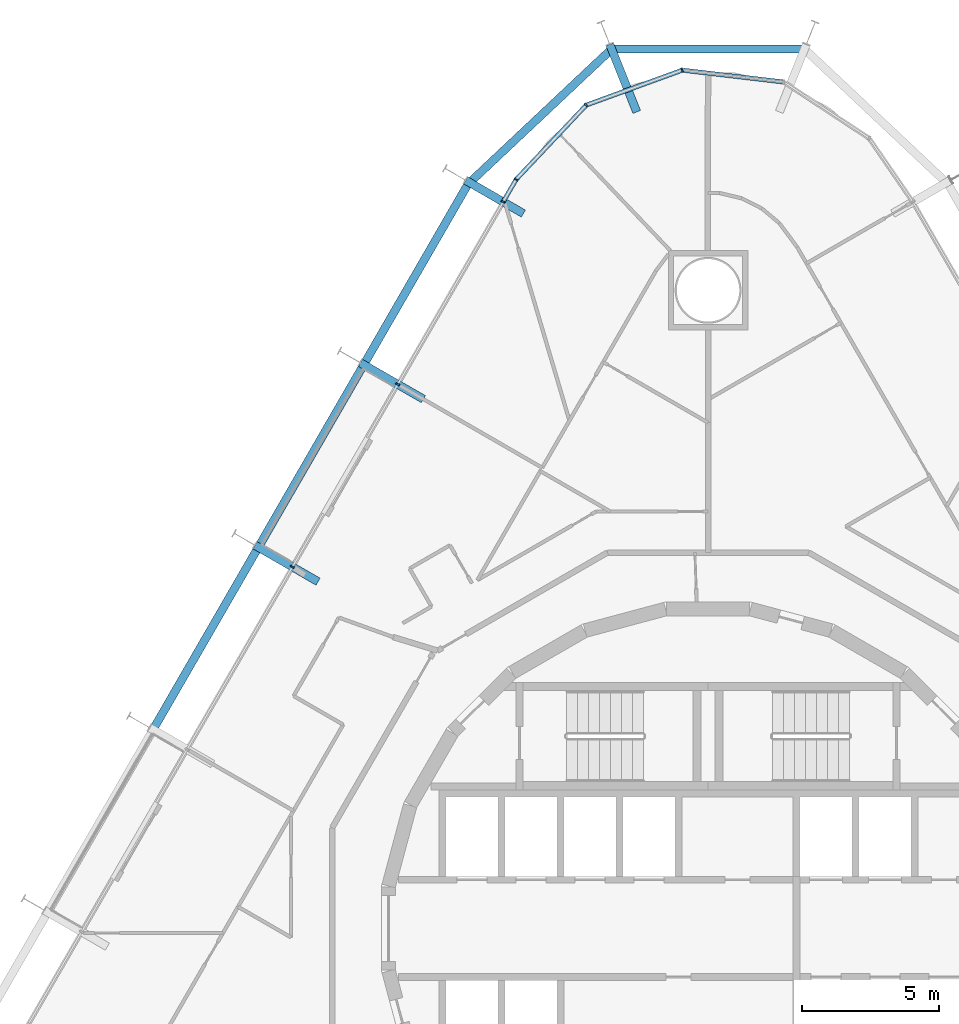
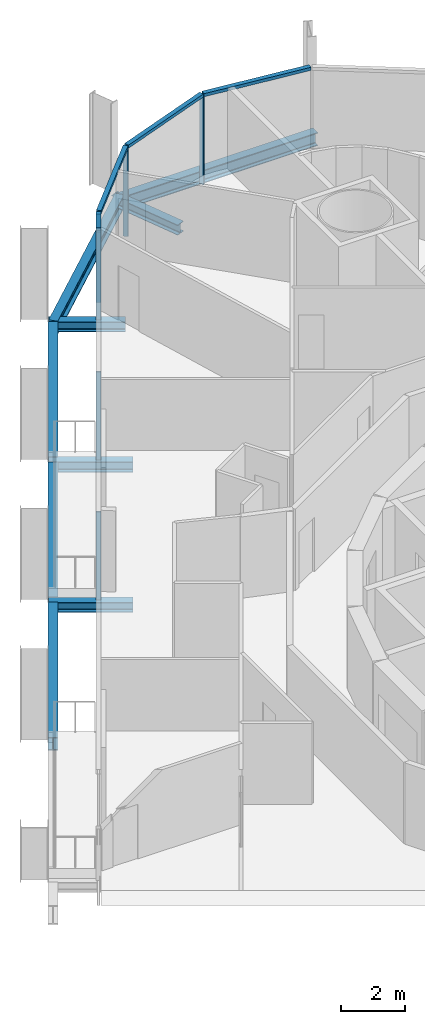
# One storey, part 9 of 20: 10 members, 9 beams, 2 elements without a shape of their own.
"""IFC4 building model written with IfcOpenShell, lengths in metres."""

from ifc_helpers import new_model, si_unit, direction, frame, origin, origin_2d, place, context, subcontext, project, spatial, rectangle, i_section, extrude, material, layer, layer_set, material_profile, profile_set, type_object, element, aggregate, save


model = new_model("IFC4")

# Units and contexts
model_context = context("Model", 3, precision=1e-05, world=origin(), true_north=direction((0.0, 1.0)))
body_context = subcontext(model_context, "Body", "Model", "MODEL_VIEW")
ifc_project = project(units=[si_unit("LENGTHUNIT", "METRE"), si_unit("AREAUNIT", "SQUARE_METRE"), si_unit("VOLUMEUNIT", "CUBIC_METRE"), si_unit("PLANEANGLEUNIT", "RADIAN"), si_unit("MASSUNIT", "GRAM", prefix="KILO")], contexts=[model_context])

# Site, building, storey
site_placement = place(None, origin())
site = spatial("IfcSite", under=ifc_project, at=site_placement, CompositionType="ELEMENT")
building_placement = place(site_placement, origin())
building = spatial("IfcBuilding", under=site, at=building_placement, Name="Spindle Arch Residences", CompositionType="ELEMENT")
storey_placement = place(building_placement, frame((0.0, 0.0, 59.39990234375)))
storey = spatial("IfcBuildingStorey", under=building, at=storey_placement, Name="L13", CompositionType="ELEMENT", Elevation=59.39990234375)

# Curtain wall, members
ifc_material_1 = material(Name="Aluminium bronze unitised frame with tinted glass", Category="aluminium")
ifc_layer_1 = layer(ifc_material_1, 0.159912109375)
ifc_layer_set_1 = layer_set([ifc_layer_1], Name="CW-D corner wall on the fillet arcs")
curtain_wall_type_1 = type_object("IfcCurtainWallType", Name="CW-D corner wall on the fillet arcs", PredefinedType="NOTDEFINED", material=ifc_layer_set_1)
curtain_wall_1_placement = place(storey_placement, origin())
curtain_wall_1 = element("IfcCurtainWall", 1, at=curtain_wall_1_placement, inside=storey, type_object=curtain_wall_type_1, Name="CW-D L13 run 3", PredefinedType="NOTDEFINED")
ifc_material_2 = material(Name="Aluminium bronze anodised mullion", Category="aluminium")
ifc_material_profile_1 = material_profile(ifc_material_2, rectangle(XDim=0.159912109375, YDim=0.06005859375, at=origin_2d()), Name="MU 60x160")
ifc_profile_set_1 = profile_set([ifc_material_profile_1], Name="Aluminium bronze anodised mullion")
member_type_1 = type_object("IfcMemberType", Name="Bronze mullion 60x160", PredefinedType="MULLION", material=ifc_profile_set_1)
member_1_placement = place(storey_placement, frame((-0.93798828125, 31.28515625, -0.3798828125), z_axis=(0.0, 0.0, 1.0), x_axis=(0.342020141538, -0.939692621437, 0.0)))
member_1 = element("IfcMember", 2, at=member_1_placement, type_object=member_type_1, Name="CW-D mullion 03", PredefinedType="MULLION", context=body_context, shape_type="SweptSolid", body=[
    extrude(rectangle(XDim=0.159912109375, YDim=0.06005859375, at=origin_2d()), origin(), (0.0, 0.0, 1.0), 3.3798828125),
])
member_2_placement = place(storey_placement, frame((-4.43994140625, 30.010498046875, -0.3798828125), z_axis=(0.0, 0.0, 1.0), x_axis=(0.727373640284, -0.686241639236, 0.0)))
member_2 = element("IfcMember", 3, at=member_2_placement, type_object=member_type_1, Name="CW-D mullion 04", PredefinedType="MULLION", context=body_context, shape_type="SweptSolid", body=[
    extrude(rectangle(XDim=0.159912109375, YDim=0.06005859375, at=origin_2d()), origin(), (0.0, 0.0, 1.0), 3.3798828125),
])
member_3_placement = place(storey_placement, frame((-6.99755859375, 27.2998046875, -0.3798828125), z_axis=(0.0, 0.0, 1.0), x_axis=(0.866025403784, -0.5, 0.0)))
member_3 = element("IfcMember", 4, at=member_3_placement, type_object=member_type_1, Name="CW-D mullion 05", PredefinedType="MULLION", context=body_context, shape_type="SweptSolid", body=[
    extrude(rectangle(XDim=0.159912109375, YDim=0.06005859375, at=origin_2d()), origin(), (0.0, 0.0, 1.0), 3.3798828125),
])

ifc_material_3 = material(Name="Aluminium bronze unitised frame with tinted glass", Category="aluminium")
ifc_layer_2 = layer(ifc_material_3, 0.159912109375)
ifc_layer_set_2 = layer_set([ifc_layer_2], Name="CW-C typical residential unitised wall")
curtain_wall_type_2 = type_object("IfcCurtainWallType", Name="CW-C typical residential unitised wall", PredefinedType="NOTDEFINED", material=ifc_layer_set_2)
curtain_wall_2_placement = place(storey_placement, origin())
curtain_wall_2 = element("IfcCurtainWall", 5, at=curtain_wall_2_placement, inside=storey, type_object=curtain_wall_type_2, Name="CW-C L13 run 4", PredefinedType="NOTDEFINED")
member_4_placement = place(storey_placement, frame((-7.46923828125, 26.48291015625, -0.3798828125), z_axis=(0.0, 0.0, 1.0), x_axis=(0.866025403784, -0.5, 0.0)))
member_4 = element("IfcMember", 6, at=member_4_placement, type_object=member_type_1, Name="CW-C mullion 13", PredefinedType="MULLION", context=body_context, shape_type="SweptSolid", body=[
    extrude(rectangle(XDim=0.159912109375, YDim=0.06005859375, at=origin_2d()), origin(), (0.0, 0.0, 1.0), 3.3798828125),
])
member_5_placement = place(storey_placement, frame((-11.309326171875, 19.83154296875, -0.3798828125), z_axis=(0.0, 0.0, 1.0), x_axis=(0.866025403784, -0.5, 0.0)))
member_5 = element("IfcMember", 7, at=member_5_placement, type_object=member_type_1, Name="CW-C mullion 14", PredefinedType="MULLION", context=body_context, shape_type="SweptSolid", body=[
    extrude(rectangle(XDim=0.159912109375, YDim=0.06005859375, at=origin_2d()), origin(), (0.0, 0.0, 1.0), 3.3798828125),
])
member_6_placement = place(storey_placement, frame((-15.149169921875, 13.180419921875, -0.3798828125), z_axis=(0.0, 0.0, 1.0), x_axis=(0.866025403784, -0.5, 0.0)))
member_6 = element("IfcMember", 8, at=member_6_placement, type_object=member_type_1, Name="CW-C mullion 15", PredefinedType="MULLION", context=body_context, shape_type="SweptSolid", body=[
    extrude(rectangle(XDim=0.159912109375, YDim=0.06005859375, at=origin_2d()), origin(), (0.0, 0.0, 1.0), 3.3798828125),
])
aggregate(curtain_wall_2, [member_4, member_5, member_6])

# Member
ifc_material_4 = material(Name="Aluminium bronze anodised transom", Category="aluminium")
ifc_material_profile_2 = material_profile(ifc_material_4, rectangle(XDim=0.159912109375, YDim=0.1201171875, at=origin_2d()), Name="TR 120x160")
ifc_profile_set_2 = profile_set([ifc_material_profile_2], Name="Aluminium bronze anodised transom")
member_type_2 = type_object("IfcMemberType", Name="Bronze transom 120x160", PredefinedType="USERDEFINED", material=ifc_profile_set_2)
member_7_placement = place(storey_placement, frame((2.733642578125, 30.85595703125, 3.06005859375), z_axis=(-0.993234881174, 0.116122654204, 0.0), x_axis=(-0.116122654204, -0.993234881174, 0.0)))
member_7 = element("IfcMember", 9, at=member_7_placement, type_object=member_type_2, Name="CW-D transom 02", ObjectType="TRANSOM", PredefinedType="USERDEFINED", context=body_context, shape_type="SweptSolid", body=[
    extrude(rectangle(XDim=0.159912109375, YDim=0.1201171875, at=origin_2d()), origin(), (0.0, 0.0, 1.0), 3.666748046875),
])

member_8_placement = place(storey_placement, frame((-0.96630859375, 31.27490234375, 3.06005859375), z_axis=(-0.939686455819, -0.342037080957, 0.0), x_axis=(0.342037080957, -0.939686455819, 0.0)))
member_8 = element("IfcMember", 10, at=member_8_placement, type_object=member_type_2, Name="CW-D transom 03", ObjectType="TRANSOM", PredefinedType="USERDEFINED", context=body_context, shape_type="SweptSolid", body=[
    extrude(rectangle(XDim=0.159912109375, YDim=0.1201171875, at=origin_2d()), origin(), (0.0, 0.0, 1.0), 3.666748046875),
])

member_9_placement = place(storey_placement, frame((-4.460693359375, 29.98876953125, 3.06005859375), z_axis=(-0.686199156324, -0.727413718498, 0.0), x_axis=(0.727413718498, -0.686199156324, 0.0)))
member_9 = element("IfcMember", 11, at=member_9_placement, type_object=member_type_2, Name="CW-D transom 04", ObjectType="TRANSOM", PredefinedType="USERDEFINED", context=body_context, shape_type="SweptSolid", body=[
    extrude(rectangle(XDim=0.159912109375, YDim=0.1201171875, at=origin_2d()), origin(), (0.0, 0.0, 1.0), 3.666748046875),
])

member_10_placement = place(storey_placement, frame((-7.012451171875, 27.27392578125, 3.06005859375), z_axis=(-0.499913830031, -0.866075148324, 0.0), x_axis=(0.866075148324, -0.499913830031, 0.0)))
member_10 = element("IfcMember", 12, at=member_10_placement, type_object=member_type_2, Name="CW-D transom 05", ObjectType="TRANSOM", PredefinedType="USERDEFINED", context=body_context, shape_type="SweptSolid", body=[
    extrude(rectangle(XDim=0.159912109375, YDim=0.1201171875, at=origin_2d()), origin(), (0.0, 0.0, 1.0), 0.883544921875),
])

aggregate(curtain_wall_1, [member_7, member_1, member_8, member_2, member_9, member_3, member_10])

# Beams
ifc_material_5 = material(Name="Steel S460ML, intumescent coating R 120", Category="steel")
ifc_material_profile_3 = material_profile(ifc_material_5, i_section(OverallWidth=0.300048828125, OverallDepth=0.5, WebThickness=0.014404296875, FlangeThickness=0.028076171875, FilletRadius=0.027099609375, at=origin_2d()), Name="HEB 500")
ifc_profile_set_3 = profile_set([ifc_material_profile_3], Name="Steel S460ML, intumescent coating R 120")
beam_type_1 = type_object("IfcBeamType", Name="Exoskeleton edge beam HEB 500", PredefinedType="BEAM", material=ifc_profile_set_3)
beam_1_placement = place(storey_placement, frame((3.6181640625, 32.051513671875, -0.6298828125), z_axis=(-1.0, 0.0, 0.0), x_axis=(0.0, -1.0, 0.0)))
element("IfcBeam", 13, at=beam_1_placement, inside=storey, type_object=beam_type_1, Name="Exoskeleton edge beam 12", PredefinedType="BEAM", context=body_context, shape_type="SweptSolid", body=[
    extrude(i_section(OverallWidth=0.300048828125, OverallDepth=0.5, WebThickness=0.014404296875, FlangeThickness=0.028076171875, FilletRadius=0.027099609375, at=origin_2d()), origin(), (0.0, 0.0, 1.0), 7.236328125),
])
beam_2_placement = place(storey_placement, frame((-3.45849609375, 32.105712890625, -0.6298828125), z_axis=(-0.728394714383, -0.685157748303, 0.0), x_axis=(0.685157748303, -0.728394714383, 0.0)))
element("IfcBeam", 14, at=beam_2_placement, inside=storey, type_object=beam_type_1, Name="Exoskeleton edge beam 13", PredefinedType="BEAM", context=body_context, shape_type="SweptSolid", body=[
    extrude(i_section(OverallWidth=0.300048828125, OverallDepth=0.5, WebThickness=0.014404296875, FlangeThickness=0.028076171875, FilletRadius=0.027099609375, at=origin_2d()), origin(), (0.0, 0.0, 1.0), 7.250244140625),
])
beam_3_placement = place(storey_placement, frame((-8.775146484375, 27.086669921875, -0.6298828125), z_axis=(-0.500003477455, -0.866023396066, 0.0), x_axis=(0.866023396066, -0.500003477455, 0.0)))
element("IfcBeam", 15, at=beam_3_placement, inside=storey, type_object=beam_type_1, Name="Exoskeleton edge beam 14", PredefinedType="BEAM", context=body_context, shape_type="SweptSolid", body=[
    extrude(i_section(OverallWidth=0.300048828125, OverallDepth=0.5, WebThickness=0.014404296875, FlangeThickness=0.028076171875, FilletRadius=0.027099609375, at=origin_2d()), origin(), (0.0, 0.0, 1.0), 7.419921875),
])
for number, where, z_axis, x_axis, name in (
    (16, (-12.615234375, 20.435546875, -0.6298828125), (-0.49998923004, -0.866031621735, 0.0), (0.866031621735, -0.49998923004, 0.0), "Exoskeleton edge beam 15"),
    (17, (-16.455078125, 13.784423828125, -0.6298828125), (-0.5000139068, -0.866017374541, 0.0), (0.866017374541, -0.5000139068, 0.0), "Exoskeleton edge beam 16"),
):
    element("IfcBeam", number, at=place(storey_placement, frame(where, z_axis=z_axis, x_axis=x_axis)), inside=storey, type_object=beam_type_1, Name=name, PredefinedType="BEAM", context=body_context, shape_type="SweptSolid", body=[
        extrude(i_section(OverallWidth=0.300048828125, OverallDepth=0.5, WebThickness=0.014404296875, FlangeThickness=0.028076171875, FilletRadius=0.027099609375, at=origin_2d()), origin(), (0.0, 0.0, 1.0), 7.420166015625),
    ])
ifc_material_6 = material(Name="Steel S460ML, intumescent coating R 120", Category="steel")
ifc_material_profile_4 = material_profile(ifc_material_6, i_section(OverallWidth=0.300048828125, OverallDepth=0.389892578125, WebThickness=0.010986328125, FlangeThickness=0.01904296875, FilletRadius=0.027099609375, at=origin_2d()), Name="HEA 400")
ifc_profile_set_4 = profile_set([ifc_material_profile_4], Name="Steel S460ML, intumescent coating R 120")
beam_type_2 = type_object("IfcBeamType", Name="Floor outrigger HEA 400", PredefinedType="BEAM", material=ifc_profile_set_4)
beam_4_placement = place(storey_placement, frame((-3.581298828125, 32.220703125, -0.574951171875), z_axis=(0.371104734129, -0.928591016706, 0.0), x_axis=(0.928591016706, 0.371104734129, 0.0)))
element("IfcBeam", 18, at=beam_4_placement, inside=storey, type_object=beam_type_2, Name="Floor outrigger 13", PredefinedType="BEAM", context=body_context, shape_type="SweptSolid", body=[
    extrude(i_section(OverallWidth=0.300048828125, OverallDepth=0.389892578125, WebThickness=0.010986328125, FlangeThickness=0.01904296875, FilletRadius=0.027099609375, at=origin_2d()), origin(), (0.0, 0.0, 1.0), 2.64990234375),
])
beam_5_placement = place(storey_placement, frame((-8.828857421875, 27.267822265625, -0.574951171875), z_axis=(0.866002732682, -0.500039265445, 0.0), x_axis=(0.500039265445, 0.866002732682, 0.0)))
element("IfcBeam", 19, at=beam_5_placement, inside=storey, type_object=beam_type_2, Name="Floor outrigger 14", PredefinedType="BEAM", context=body_context, shape_type="SweptSolid", body=[
    extrude(i_section(OverallWidth=0.300048828125, OverallDepth=0.389892578125, WebThickness=0.010986328125, FlangeThickness=0.01904296875, FilletRadius=0.027099609375, at=origin_2d()), origin(), (0.0, 0.0, 1.0), 2.423583984375),
])
for number, where, z_axis, x_axis, name in (
    (20, (-12.6689453125, 20.61669921875, -0.574951171875), (0.866052124492, -0.499953715521, 0.0), (0.499953715521, 0.866052124492, 0.0), "Floor outrigger 15"),
    (21, (-16.5087890625, 13.965576171875, -0.574951171875), (0.865989200783, -0.500062700197, 0.0), (0.500062700197, 0.865989200783, 0.0), "Floor outrigger 16"),
):
    element("IfcBeam", number, at=place(storey_placement, frame(where, z_axis=z_axis, x_axis=x_axis)), inside=storey, type_object=beam_type_2, Name=name, PredefinedType="BEAM", context=body_context, shape_type="SweptSolid", body=[
        extrude(i_section(OverallWidth=0.300048828125, OverallDepth=0.389892578125, WebThickness=0.010986328125, FlangeThickness=0.01904296875, FilletRadius=0.027099609375, at=origin_2d()), origin(), (0.0, 0.0, 1.0), 2.650146484375),
    ])

save(model, "model.ifc")
